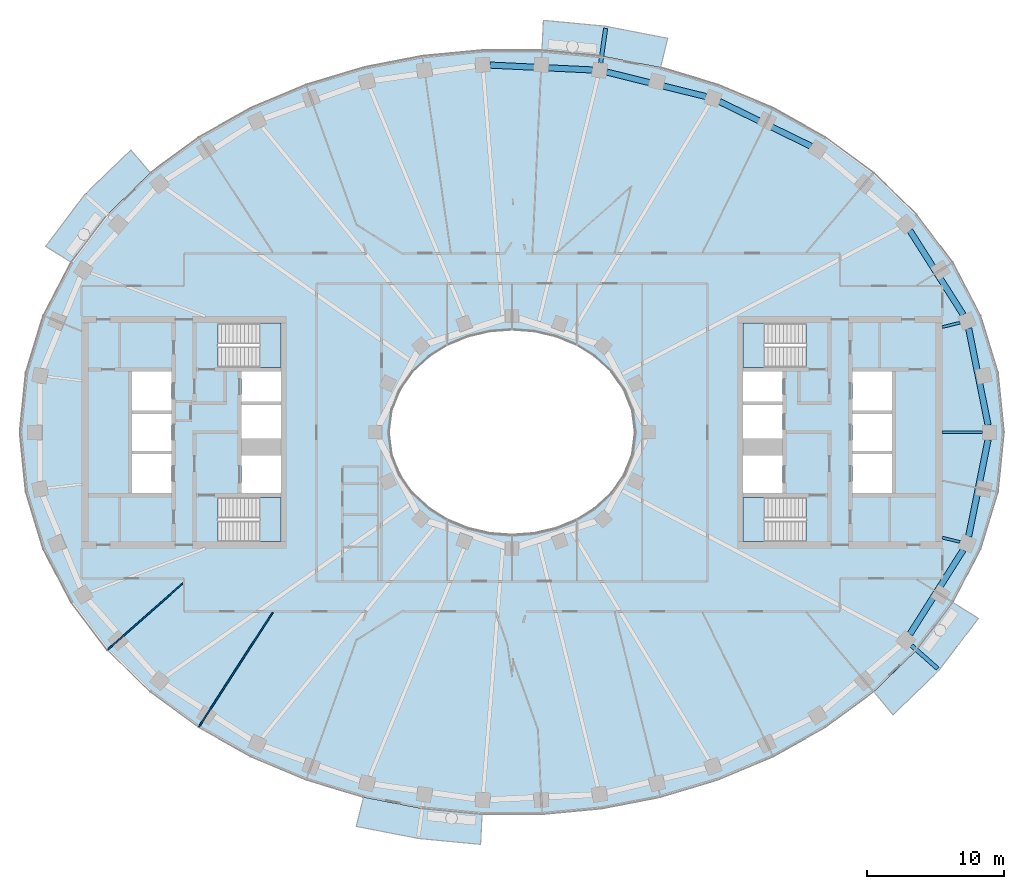
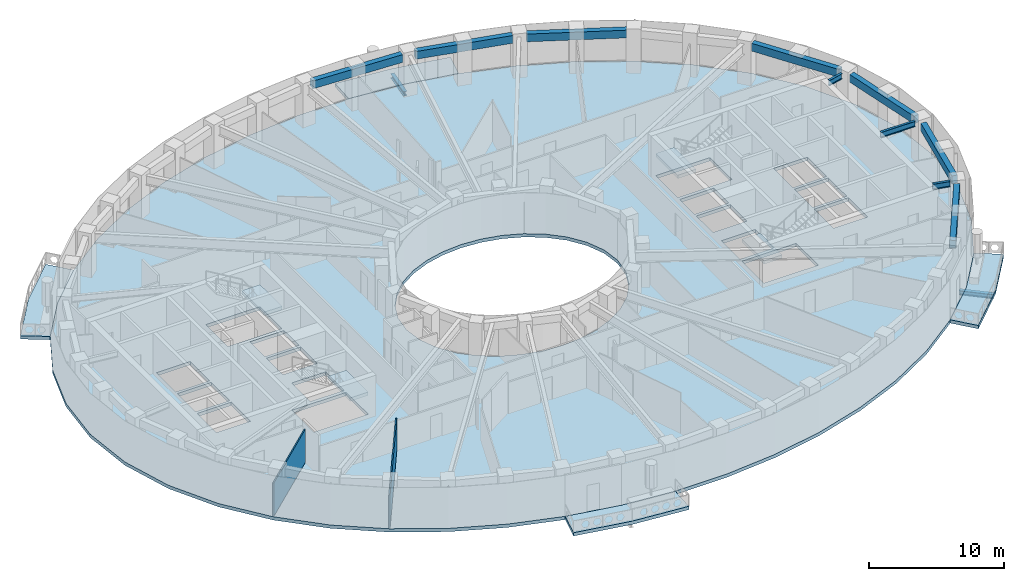
# One storey, part 2 of 16: 12 beams, 9 slabs, 2 walls, 4 elements without a shape of their own.
"""IFC4 building model written with IfcOpenShell, lengths in metres."""

from ifc_helpers import new_model, si_unit, direction, frame, frame_2d, origin, origin_2d, place, context, subcontext, project, spatial, polyline, rectangle, i_section, outline, extrude, material, layer, layer_set, material_profile, profile_set, type_object, element, aggregate, save


model = new_model("IFC4")

# Units and contexts
model_context = context("Model", 3, precision=1e-05, world=origin(), true_north=direction((0.0, 1.0)))
body_context = subcontext(model_context, "Body", "Model", "MODEL_VIEW")
ifc_project = project(units=[si_unit("LENGTHUNIT", "METRE"), si_unit("AREAUNIT", "SQUARE_METRE"), si_unit("VOLUMEUNIT", "CUBIC_METRE"), si_unit("PLANEANGLEUNIT", "RADIAN"), si_unit("MASSUNIT", "GRAM", prefix="KILO")], contexts=[model_context])

# Site, building, storey
site_placement = place(None, origin())
site = spatial("IfcSite", under=ifc_project, at=site_placement, CompositionType="ELEMENT")
building_placement = place(site_placement, origin())
building = spatial("IfcBuilding", under=site, at=building_placement, Name="Noorbagh Ring Tower", CompositionType="ELEMENT")
storey_placement = place(building_placement, frame((0.0, 0.0, 237.5)))
storey = spatial("IfcBuildingStorey", under=building, at=storey_placement, Name="L49", CompositionType="ELEMENT", Elevation=237.5)

# Beams
ifc_material_1 = material(Name="Steel S355", Category="steel")
ifc_material_profile_1 = material_profile(ifc_material_1, i_section(OverallWidth=0.300048828125, OverallDepth=0.39990234375, WebThickness=0.013427734375, FlangeThickness=0.02392578125, FilletRadius=0.027099609375, at=origin_2d()), Name="HEB400")
ifc_profile_set_1 = profile_set([ifc_material_profile_1], Name="Steel S355")
beam_type_1 = type_object("IfcBeamType", Name="STR-BALCONY-BRACKET-HEB400", PredefinedType="BEAM", material=ifc_profile_set_1)
beam_1_placement = place(storey_placement, frame((6.485107421875, 27.015380859375, -0.5), z_axis=(0.143041289678, 0.989716721819, 0.0), x_axis=(-0.989716721819, 0.143041289678, 0.0)))
element("IfcBeam", 1, at=beam_1_placement, inside=storey, type_object=beam_type_1, Name="Balcony bracket beam BN03", PredefinedType="BEAM", context=body_context, shape_type="SweptSolid", body=[
    extrude(i_section(OverallWidth=0.300048828125, OverallDepth=0.39990234375, WebThickness=0.013427734375, FlangeThickness=0.02392578125, FilletRadius=0.027099609375, at=origin_2d()), origin(), (0.0, 0.0, 1.0), 2.57373046875),
])
beam_2_placement = place(storey_placement, frame((29.2158203125, -15.58154296875, -0.5), z_axis=(0.749036305026, -0.662528953144, 0.0), x_axis=(0.662528953144, 0.749036305026, 0.0)))
element("IfcBeam", 2, at=beam_2_placement, inside=storey, type_object=beam_type_1, Name="Balcony bracket beam BS06", PredefinedType="BEAM", context=body_context, shape_type="SweptSolid", body=[
    extrude(i_section(OverallWidth=0.300048828125, OverallDepth=0.39990234375, WebThickness=0.013427734375, FlangeThickness=0.02392578125, FilletRadius=0.027099609375, at=origin_2d()), origin(), (0.0, 0.0, 1.0), 2.57958984375),
])
ifc_material_2 = material(Name="Steel S355", Category="steel")
ifc_material_profile_2 = material_profile(ifc_material_2, i_section(OverallWidth=0.199951171875, OverallDepth=0.5, WebThickness=0.01025390625, FlangeThickness=0.01611328125, FilletRadius=0.02099609375, at=origin_2d()), Name="IPE500")
ifc_profile_set_2 = profile_set([ifc_material_profile_2], Name="Steel S355")
beam_type_2 = type_object("IfcBeamType", Name="STR-RAD-IPE500", PredefinedType="BEAM", material=ifc_profile_set_2)
beam_3_placement = place(storey_placement, frame((34.414794921875, 0.0, 3.449951171875), z_axis=(-1.0, 0.0, 0.0), x_axis=(0.0, -1.0, 0.0)))
element("IfcBeam", 3, at=beam_3_placement, inside=storey, type_object=beam_type_2, Name="L49/bm/RD01", PredefinedType="BEAM", context=body_context, shape_type="SweptSolid", body=[
    extrude(i_section(OverallWidth=0.199951171875, OverallDepth=0.5, WebThickness=0.01025390625, FlangeThickness=0.01611328125, FilletRadius=0.02099609375, at=origin_2d()), origin(), (0.0, 0.0, 1.0), 2.934814453125),
])
for number, where, z_axis, x_axis, name in (
    (4, (32.784423828125, 8.02197265625, 3.449951171875), (-0.971339314725, -0.23769715116, 0.0), (0.23769715116, -0.971339314725, 0.0), "L49/bm/RD03"),
    (5, (32.784423828125, -8.02197265625, 3.449951171875), (-0.971339314725, 0.23769715116, 0.0), (-0.23769715116, -0.971339314725, 0.0), "L49/bm/RD45"),
):
    element("IfcBeam", number, at=place(storey_placement, frame(where, z_axis=z_axis, x_axis=x_axis)), inside=storey, type_object=beam_type_2, Name=name, PredefinedType="BEAM", context=body_context, shape_type="SweptSolid", body=[
        extrude(i_section(OverallWidth=0.199951171875, OverallDepth=0.5, WebThickness=0.01025390625, FlangeThickness=0.01611328125, FilletRadius=0.02099609375, at=origin_2d()), origin(), (0.0, 0.0, 1.0), 1.342529296875),
    ])
ifc_material_3 = material(Name="Concrete C40/50", Category="concrete")
ifc_material_profile_3 = material_profile(ifc_material_3, rectangle(XDim=0.449951171875, YDim=0.699951171875, at=origin_2d()), Name="RC450x700")
ifc_profile_set_3 = profile_set([ifc_material_profile_3], Name="Concrete C40/50")
beam_type_3 = type_object("IfcBeamType", Name="STR-SB-RC450x700-C40-50", PredefinedType="BEAM", material=ifc_profile_set_3)
beam_4_placement = place(storey_placement, frame((34.837890625, 0.5302734375, 3.35009765625), z_axis=(-0.197226195613, 0.980358009996, 0.0), x_axis=(-0.980358009996, -0.197226195613, 0.0)))
element("IfcBeam", 6, at=beam_4_placement, inside=storey, type_object=beam_type_3, Name="L49/bm/SP01", PredefinedType="BEAM", context=body_context, shape_type="SweptSolid", body=[
    extrude(rectangle(XDim=0.449951171875, YDim=0.699951171875, at=origin_2d()), origin(), (0.0, 0.0, 1.0), 7.231689453125),
])
beam_5_placement = place(storey_placement, frame((33.016845703125, 8.604248046875, 3.35009765625), z_axis=(-0.535181639591, 0.844737007977, 0.0), x_axis=(-0.844737007977, -0.535181639591, 0.0)))
element("IfcBeam", 7, at=beam_5_placement, inside=storey, type_object=beam_type_3, Name="L49/bm/SP03", PredefinedType="BEAM", context=body_context, shape_type="SweptSolid", body=[
    extrude(rectangle(XDim=0.449951171875, YDim=0.699951171875, at=origin_2d()), origin(), (0.0, 0.0, 1.0), 7.30712890625),
])
beam_6_placement = place(storey_placement, frame((21.88232421875, 20.934326171875, 3.35009765625), z_axis=(-0.898395566206, 0.43918721136, 0.0), x_axis=(-0.43918721136, -0.898395566206, 0.0)))
element("IfcBeam", 8, at=beam_6_placement, inside=storey, type_object=beam_type_3, Name="L49/bm/SP07", PredefinedType="BEAM", context=body_context, shape_type="SweptSolid", body=[
    extrude(rectangle(XDim=0.449951171875, YDim=0.699951171875, at=origin_2d()), origin(), (0.0, 0.0, 1.0), 7.45068359375),
])
beam_7_placement = place(storey_placement, frame((14.192138671875, 24.568603515625, 3.35009765625), z_axis=(-0.970829382675, 0.239771369713, 0.0), x_axis=(-0.239771369713, -0.970829382675, 0.0)))
element("IfcBeam", 9, at=beam_7_placement, inside=storey, type_object=beam_type_3, Name="L49/bm/SP09", PredefinedType="BEAM", context=body_context, shape_type="SweptSolid", body=[
    extrude(rectangle(XDim=0.449951171875, YDim=0.699951171875, at=origin_2d()), origin(), (0.0, 0.0, 1.0), 7.48388671875),
])
beam_8_placement = place(storey_placement, frame((5.877197265625, 26.51611328125, 3.35009765625), z_axis=(-0.998869095319, 0.047545035672, 0.0), x_axis=(-0.047545035672, -0.998869095319, 0.0)))
element("IfcBeam", 10, at=beam_8_placement, inside=storey, type_object=beam_type_3, Name="L49/bm/SP11", PredefinedType="BEAM", context=body_context, shape_type="SweptSolid", body=[
    extrude(rectangle(XDim=0.449951171875, YDim=0.699951171875, at=origin_2d()), origin(), (0.0, 0.0, 1.0), 7.4970703125),
])
beam_9_placement = place(storey_placement, frame((29.106201171875, -14.77685546875, 3.35009765625), z_axis=(0.535181639591, 0.844737007977, 0.0), x_axis=(-0.844737007977, 0.535181639591, 0.0)))
element("IfcBeam", 11, at=beam_9_placement, inside=storey, type_object=beam_type_3, Name="L49/bm/SP43", PredefinedType="BEAM", context=body_context, shape_type="SweptSolid", body=[
    extrude(rectangle(XDim=0.449951171875, YDim=0.699951171875, at=origin_2d()), origin(), (0.0, 0.0, 1.0), 7.30712890625),
])
beam_10_placement = place(storey_placement, frame((33.41162109375, -7.619873046875, 3.35009765625), z_axis=(0.197226195613, 0.980358009996, 0.0), x_axis=(-0.980358009996, 0.197226195613, 0.0)))
element("IfcBeam", 12, at=beam_10_placement, inside=storey, type_object=beam_type_3, Name="L49/bm/SP45", PredefinedType="BEAM", context=body_context, shape_type="SweptSolid", body=[
    extrude(rectangle(XDim=0.449951171875, YDim=0.699951171875, at=origin_2d()), origin(), (0.0, 0.0, 1.0), 7.231689453125),
])

# Stair, slab
ifc_material_4 = material(Name="Concrete C40/50", Category="concrete")
stair_type = type_object("IfcStairType", Name="CORE-STAIR", PredefinedType="HALF_TURN_STAIR", material=ifc_material_4)
stair_1_placement = place(storey_placement, origin())
stair_1 = element("IfcStair", 13, at=stair_1_placement, inside=storey, type_object=stair_type, Name="L49 Exit stair ST1", PredefinedType="HALF_TURN_STAIR")
ifc_material_5 = material(Name="Concrete C40/50", Category="concrete")
ifc_layer_1 = layer(ifc_material_5, 0.300048828125)
ifc_layer_set_1 = layer_set([ifc_layer_1], Name="Concrete C40/50")
slab_type_1 = type_object("IfcSlabType", Name="CORE-STAIR-LANDING", PredefinedType="LANDING", material=ifc_layer_set_1)
slab_1_placement = place(storey_placement, frame((0.0, 0.0, 1.699951171875)))
slab_1 = element("IfcSlab", 14, at=slab_1_placement, type_object=slab_type_1, Name="ST1 landing 1", PredefinedType="LANDING", context=body_context, shape_type="SweptSolid", body=[
    extrude(outline(polyline([(-18.449951171875, 4.75), (-16.89990234375, 4.75), (-16.89990234375, 8.0), (-18.449951171875, 8.0), (-18.449951171875, 4.75)])), origin(), (0.0, 0.0, 1.0), 0.300048828125),
])
aggregate(stair_1, [slab_1])

stair_2_placement = place(storey_placement, origin())
stair_2 = element("IfcStair", 15, at=stair_2_placement, inside=storey, type_object=stair_type, Name="L49 Exit stair ST2", PredefinedType="HALF_TURN_STAIR")
slab_2_placement = place(storey_placement, frame((0.0, 0.0, 1.699951171875)))
slab_2 = element("IfcSlab", 16, at=slab_2_placement, type_object=slab_type_1, Name="ST2 landing 1", PredefinedType="LANDING", context=body_context, shape_type="SweptSolid", body=[
    extrude(outline(polyline([(-18.449951171875, -8.0), (-16.89990234375, -8.0), (-16.89990234375, -4.75), (-18.449951171875, -4.75), (-18.449951171875, -8.0)])), origin(), (0.0, 0.0, 1.0), 0.300048828125),
])
aggregate(stair_2, [slab_2])

stair_3_placement = place(storey_placement, origin())
stair_3 = element("IfcStair", 17, at=stair_3_placement, inside=storey, type_object=stair_type, Name="L49 Exit stair ST3", PredefinedType="HALF_TURN_STAIR")
slab_3_placement = place(storey_placement, frame((0.0, 0.0, 1.699951171875)))
slab_3 = element("IfcSlab", 18, at=slab_3_placement, type_object=slab_type_1, Name="ST3 landing 1", PredefinedType="LANDING", context=body_context, shape_type="SweptSolid", body=[
    extrude(outline(polyline([(18.449951171875, 8.0), (16.89990234375, 8.0), (16.89990234375, 4.75), (18.449951171875, 4.75), (18.449951171875, 8.0)])), origin(), (0.0, 0.0, 1.0), 0.300048828125),
])
aggregate(stair_3, [slab_3])

stair_4_placement = place(storey_placement, origin())
stair_4 = element("IfcStair", 19, at=stair_4_placement, inside=storey, type_object=stair_type, Name="L49 Exit stair ST4", PredefinedType="HALF_TURN_STAIR")
slab_4_placement = place(storey_placement, frame((0.0, 0.0, 1.699951171875)))
slab_4 = element("IfcSlab", 20, at=slab_4_placement, type_object=slab_type_1, Name="ST4 landing 1", PredefinedType="LANDING", context=body_context, shape_type="SweptSolid", body=[
    extrude(outline(polyline([(18.449951171875, -4.75), (16.89990234375, -4.75), (16.89990234375, -8.0), (18.449951171875, -8.0), (18.449951171875, -4.75)])), origin(), (0.0, 0.0, 1.0), 0.300048828125),
])
aggregate(stair_4, [slab_4])

# Slabs
ifc_material_6 = material(Name="Concrete C40/50", Category="concrete")
ifc_layer_2 = layer(ifc_material_6, 0.300048828125)
ifc_layer_set_2 = layer_set([ifc_layer_2], Name="Concrete C40/50")
slab_type_2 = type_object("IfcSlabType", Name="ENV-BALCONY DECK 300", PredefinedType="FLOOR", material=ifc_layer_set_2)
slab_5_placement = place(storey_placement, frame((0.0, 0.0, -0.300048828125)))
element("IfcSlab", 21, at=slab_5_placement, inside=storey, type_object=slab_type_2, Name="Tree balcony deck BN03", PredefinedType="FLOOR", context=body_context, shape_type="SweptSolid", body=[
    extrude(outline(polyline([(11.3935546875, 28.832763671875), (6.874755859375, 29.711181640625), (2.2978515625, 30.14794921875), (2.193115234375, 27.947998046875), (6.5595703125, 27.53125), (10.865234375, 26.6943359375), (11.3935546875, 28.832763671875)])), origin(), (0.0, 0.0, 1.0), 0.300048828125),
])
slab_6_placement = place(storey_placement, frame((0.0, 0.0, -0.300048828125)))
element("IfcSlab", 22, at=slab_6_placement, inside=storey, type_object=slab_type_2, Name="Tree balcony deck BN06", PredefinedType="FLOOR", context=body_context, shape_type="SweptSolid", body=[
    extrude(outline(polyline([(-27.888671875, 20.665771484375), (-31.26025390625, 17.389892578125), (-34.120361328125, 13.615966796875), (-32.255126953125, 12.434814453125), (-29.607666015625, 15.92822265625), (-26.463134765625, 18.983154296875), (-27.888671875, 20.665771484375)])), origin(), (0.0, 0.0, 1.0), 0.300048828125),
])
slab_7_placement = place(storey_placement, frame((0.0, 0.0, -0.300048828125)))
element("IfcSlab", 23, at=slab_7_placement, inside=storey, type_object=slab_type_2, Name="Tree balcony deck BS03", PredefinedType="FLOOR", context=body_context, shape_type="SweptSolid", body=[
    extrude(outline(polyline([(-11.3935546875, -28.832763671875), (-6.874755859375, -29.711181640625), (-2.2978515625, -30.14794921875), (-2.193115234375, -27.947998046875), (-6.5595703125, -27.53125), (-10.865234375, -26.6943359375), (-11.3935546875, -28.832763671875)])), origin(), (0.0, 0.0, 1.0), 0.300048828125),
])
slab_8_placement = place(storey_placement, frame((0.0, 0.0, -0.300048828125)))
element("IfcSlab", 24, at=slab_8_placement, inside=storey, type_object=slab_type_2, Name="Tree balcony deck BS06", PredefinedType="FLOOR", context=body_context, shape_type="SweptSolid", body=[
    extrude(outline(polyline([(27.888671875, -20.665771484375), (31.26025390625, -17.389892578125), (34.120361328125, -13.615966796875), (32.255126953125, -12.434814453125), (29.607666015625, -15.92822265625), (26.463134765625, -18.983154296875), (27.888671875, -20.665771484375)])), origin(), (0.0, 0.0, 1.0), 0.300048828125),
])
ifc_material_7 = material(Name="Concrete C40/50", Category="concrete")
ifc_layer_3 = layer(ifc_material_7, 0.300048828125)
ifc_layer_set_3 = layer_set([ifc_layer_3], Name="Concrete C40/50")
slab_type_3 = type_object("IfcSlabType", Name="STR-FLOOR-DECK-300", PredefinedType="FLOOR", material=ifc_layer_set_3)
slab_9_placement = place(storey_placement, frame((0.0, 0.0, -0.300048828125)))
element("IfcSlab", 25, at=slab_9_placement, inside=storey, type_object=slab_type_3, Name="L49/slab/1", PredefinedType="FLOOR", context=body_context, shape_type="SweptSolid", body=[
    extrude(outline(polyline([(36.0, 0.0), (35.56103515625, 4.358642578125), (34.281005859375, 8.548828125), (32.255126953125, 12.434814453125), (29.607666015625, 15.92822265625), (26.463134765625, 18.983154296875), (22.9326171875, 21.583740234375), (19.108154296875, 23.730224609375), (15.0654296875, 25.430419921875), (10.865234375, 26.6943359375), (6.5595703125, 27.53125), (2.193115234375, 27.947998046875), (-2.193115234375, 27.947998046875), (-6.5595703125, 27.53125), (-10.865234375, 26.6943359375), (-15.0654296875, 25.430419921875), (-19.108154296875, 23.730224609375), (-22.9326171875, 21.583740234375), (-26.463134765625, 18.983154296875), (-29.607666015625, 15.92822265625), (-32.255126953125, 12.434814453125), (-34.281005859375, 8.548828125), (-35.56103515625, 4.358642578125), (-36.0, 0.0), (-35.56103515625, -4.358642578125), (-34.281005859375, -8.548828125), (-32.255126953125, -12.434814453125), (-29.607666015625, -15.92822265625), (-26.463134765625, -18.983154296875), (-22.9326171875, -21.583740234375), (-19.108154296875, -23.730224609375), (-15.0654296875, -25.430419921875), (-10.865234375, -26.6943359375), (-6.5595703125, -27.53125), (-2.193115234375, -27.947998046875), (2.193115234375, -27.947998046875), (6.5595703125, -27.53125), (10.865234375, -26.6943359375), (15.0654296875, -25.430419921875), (19.108154296875, -23.730224609375), (22.9326171875, -21.583740234375), (26.463134765625, -18.983154296875), (29.607666015625, -15.92822265625), (32.255126953125, -12.434814453125), (34.281005859375, -8.548828125), (35.56103515625, -4.358642578125), (36.0, 0.0)]), holes=[polyline([(24.89990234375, 4.449951171875), (27.800048828125, 4.449951171875), (27.800048828125, 1.60009765625), (24.89990234375, 1.60009765625), (24.89990234375, 4.449951171875)]), polyline([(24.89990234375, 1.35009765625), (27.800048828125, 1.35009765625), (27.800048828125, -1.35009765625), (24.89990234375, -1.35009765625), (24.89990234375, 1.35009765625)]), polyline([(24.89990234375, -1.60009765625), (27.800048828125, -1.60009765625), (27.800048828125, -4.449951171875), (24.89990234375, -4.449951171875), (24.89990234375, -1.60009765625)]), polyline([(21.529541015625, -8.0), (16.89990234375, -8.0), (16.89990234375, -4.75), (21.529541015625, -4.75), (21.529541015625, -8.0)]), polyline([(16.89990234375, 4.75), (16.89990234375, 8.0), (21.529541015625, 8.0), (21.529541015625, 4.75), (16.89990234375, 4.75)]), polyline([(19.800048828125, 4.449951171875), (19.800048828125, 2.25), (16.89990234375, 2.25), (16.89990234375, 4.449951171875), (19.800048828125, 4.449951171875)]), polyline([(16.89990234375, 2.0), (19.800048828125, 2.0), (19.800048828125, -0.449951171875), (16.89990234375, -0.449951171875), (16.89990234375, 2.0)]), polyline([(16.89990234375, -1.699951171875), (19.800048828125, -1.699951171875), (19.800048828125, -4.449951171875), (16.89990234375, -4.449951171875), (16.89990234375, -1.699951171875)]), polyline([(4.697509765625, -6.3974609375), (3.196533203125, -7.010986328125), (1.6171875, -7.3779296875), (0.0, -7.5), (-1.6171875, -7.3779296875), (-3.196533203125, -7.010986328125), (-4.697509765625, -6.3974609375), (-6.071044921875, -5.53662109375), (-7.2587890625, -4.43408203125), (-8.1904296875, -3.10888671875), (-8.79150390625, -1.605224609375), (-9.0, 0.0), (-8.79150390625, 1.605224609375), (-8.1904296875, 3.10888671875), (-7.2587890625, 4.43408203125), (-6.071044921875, 5.53662109375), (-4.697509765625, 6.3974609375), (-3.196533203125, 7.010986328125), (-1.6171875, 7.3779296875), (0.0, 7.5), (1.6171875, 7.3779296875), (3.196533203125, 7.010986328125), (4.697509765625, 6.3974609375), (6.071044921875, 5.53662109375), (7.2587890625, 4.43408203125), (8.1904296875, 3.10888671875), (8.79150390625, 1.605224609375), (9.0, 0.0), (8.79150390625, -1.605224609375), (8.1904296875, -3.10888671875), (7.2587890625, -4.43408203125), (6.071044921875, -5.53662109375), (4.697509765625, -6.3974609375)]), polyline([(-16.89990234375, 2.25), (-19.800048828125, 2.25), (-19.800048828125, 4.449951171875), (-16.89990234375, 4.449951171875), (-16.89990234375, 2.25)]), polyline([(-16.89990234375, -0.449951171875), (-19.800048828125, -0.449951171875), (-19.800048828125, 2.0), (-16.89990234375, 2.0), (-16.89990234375, -0.449951171875)]), polyline([(-16.89990234375, -4.449951171875), (-19.800048828125, -4.449951171875), (-19.800048828125, -1.699951171875), (-16.89990234375, -1.699951171875), (-16.89990234375, -4.449951171875)]), polyline([(-21.529541015625, 8.0), (-16.89990234375, 8.0), (-16.89990234375, 4.75), (-21.529541015625, 4.75), (-21.529541015625, 8.0)]), polyline([(-21.529541015625, -4.75), (-16.89990234375, -4.75), (-16.89990234375, -8.0), (-21.529541015625, -8.0), (-21.529541015625, -4.75)]), polyline([(-24.89990234375, -4.449951171875), (-27.800048828125, -4.449951171875), (-27.800048828125, -1.60009765625), (-24.89990234375, -1.60009765625), (-24.89990234375, -4.449951171875)]), polyline([(-24.89990234375, 1.60009765625), (-27.800048828125, 1.60009765625), (-27.800048828125, 4.449951171875), (-24.89990234375, 4.449951171875), (-24.89990234375, 1.60009765625)]), polyline([(-24.89990234375, -1.35009765625), (-27.800048828125, -1.35009765625), (-27.800048828125, 1.35009765625), (-24.89990234375, 1.35009765625), (-24.89990234375, -1.35009765625)])]), origin(), (0.0, 0.0, 1.0), 0.300048828125),
])

# Walls
ifc_material_8 = material(Name="Gypsum board on steel studs", Category="steel")
ifc_layer_4 = layer(ifc_material_8, 0.10009765625)
ifc_layer_set_4 = layer_set([ifc_layer_4], Name="Gypsum board on steel studs")
wall_type = type_object("IfcWallType", Name="PARTITION 100 GYPSUM", PredefinedType="PARTITIONING", material=ifc_layer_set_4)
wall_1_placement = place(storey_placement, frame((-29.569091796875, -15.89501953125, 0.0), z_axis=(0.0, 0.0, 1.0), x_axis=(0.748936848479, 0.662641378869, 0.0)))
element("IfcWall", 26, at=wall_1_placement, inside=storey, type_object=wall_type, Name="L49/wall/P06", PredefinedType="PARTITIONING", context=body_context, shape_type="SweptSolid", body=[
    extrude(rectangle(XDim=7.3359375, YDim=0.10009765625, at=frame_2d((3.66796875, 0.0))), origin(), (0.0, 0.0, 1.0), 3.0),
])
wall_2_placement = place(storey_placement, frame((-22.905029296875, -21.5419921875, 0.0), z_axis=(0.0, 0.0, 1.0), x_axis=(0.542277075573, 0.840199722273, 0.0)))
element("IfcWall", 27, at=wall_2_placement, inside=storey, type_object=wall_type, Name="L49/wall/P11", PredefinedType="PARTITIONING", context=body_context, shape_type="SweptSolid", body=[
    extrude(rectangle(XDim=9.958251953125, YDim=0.10009765625, at=frame_2d((4.97900390625, 0.0))), origin(), (0.0, 0.0, 1.0), 3.0),
])

save(model, "model.ifc")
